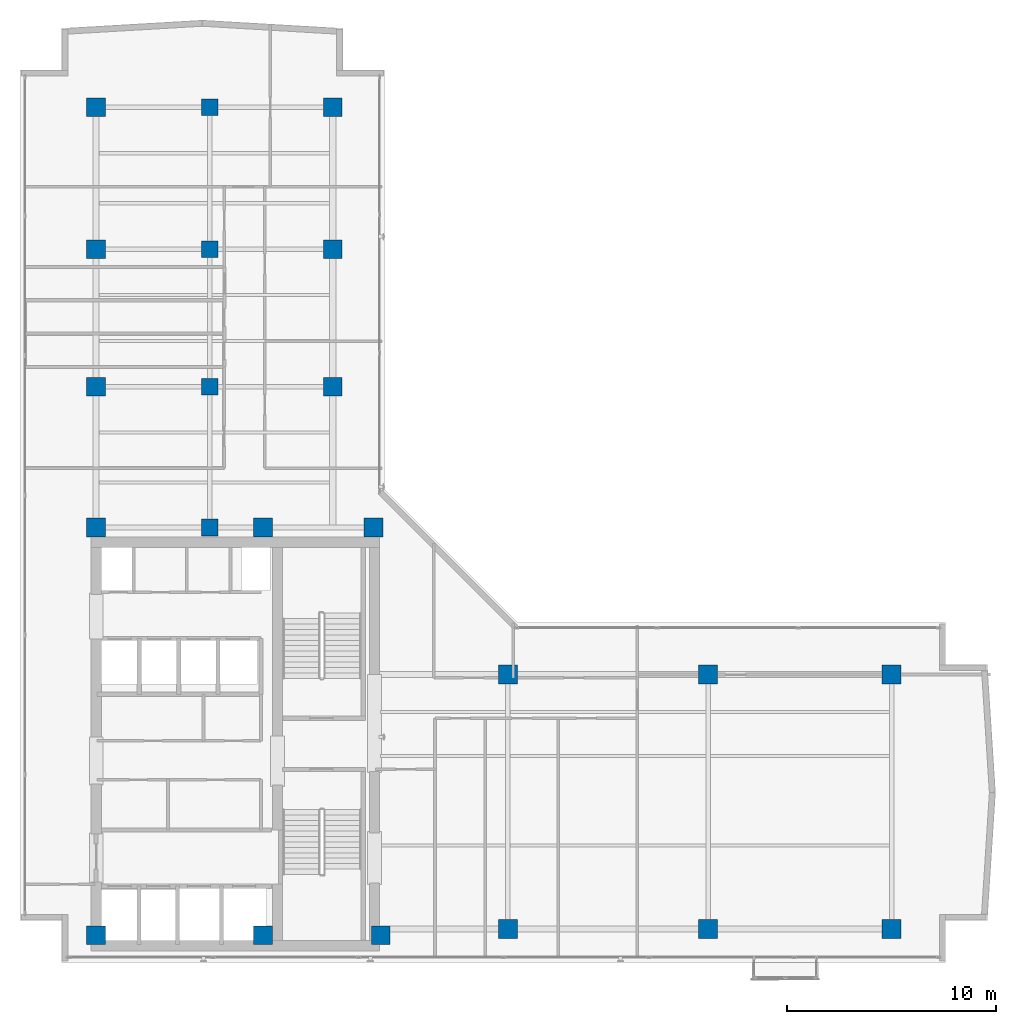
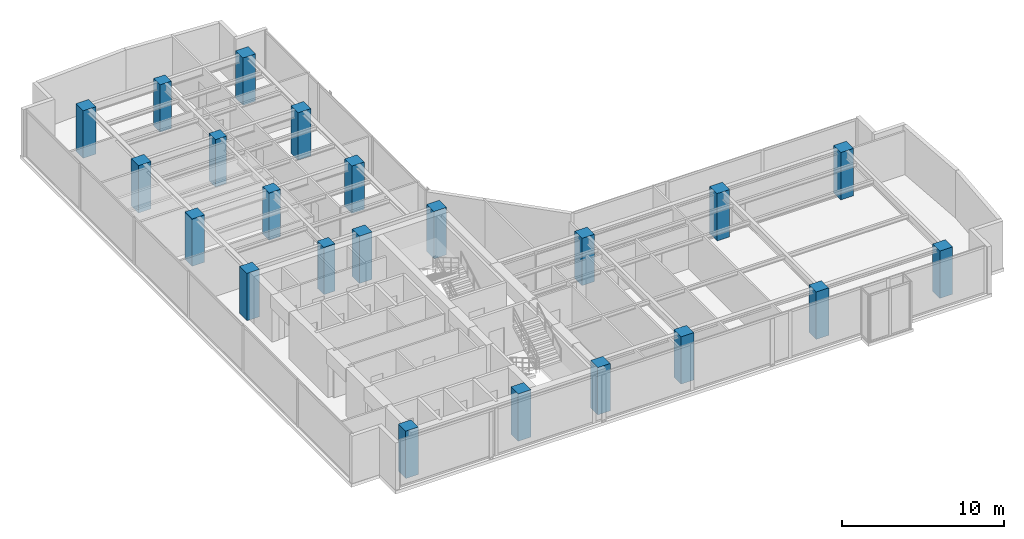
# One storey, part 1 of 23: 22 columns.
"""IFC4 building model written with IfcOpenShell, lengths in metres."""

import ifcopenshell
import ifcopenshell.guid

model = None  # the IFC model being written
_history = None  # IfcOwnerHistory: only IFC2X3 demands one
_inside = {}  # id of a spatial element -> (the spatial element, [elements in it])
_under = {}  # id of a project, library or spatial element -> (it, [spatial elements below it])
_declared = {}  # id of a project -> (the project, [libraries it declares])
_typed = {}  # id of a type object -> (the type object, [elements of that type])
_made_of = {}  # id of a material, layer set ... -> (it, [elements and type objects made of it])


def new_model(schema):
    """Start an empty IFC model of exactly this schema.

    Asked for "IFC4X3", IfcOpenShell would pick the latest addendum, in which some entities
    have other attributes; the version numbers below select the first issue.
    IFC2X3 requires an IfcOwnerHistory on every rooted entity: one is made here for all.
    """
    global model, _history
    if schema == "IFC4X3":
        model = ifcopenshell.file(schema_version=(4, 3, 0, 0))
    else:
        model = ifcopenshell.file(schema=schema)
    _inside.clear()
    _under.clear()
    _declared.clear()
    _typed.clear()
    _made_of.clear()
    _history = None
    if model.schema == "IFC2X3":
        org = make("IfcOrganization", Name="unknown")
        user = make(
            "IfcPersonAndOrganization",
            ThePerson=make("IfcPerson", FamilyName="unknown"),
            TheOrganization=org,
        )
        app = make(
            "IfcApplication",
            ApplicationDeveloper=org,
            Version="unknown",
            ApplicationFullName="unknown",
            ApplicationIdentifier="unknown",
        )
        _history = make(
            "IfcOwnerHistory",
            OwningUser=user,
            OwningApplication=app,
            ChangeAction="ADDED",
            CreationDate=0,
        )
    return model


def make(cls, **values):
    """One entity of the class cls with the attributes given. An attribute that is None is left unset."""
    return model.create_entity(
        cls, **{name: value for name, value in values.items() if value is not None}
    )


def rooted(cls, **values):
    """An entity with a GlobalId (a new one), such as an element, a storey or a relation."""
    return make(cls, GlobalId=ifcopenshell.guid.new(), OwnerHistory=_history, **values)


def si_unit(unit_type, name, prefix=None):
    """IfcSIUnit, for example si_unit("LENGTHUNIT", "METRE", prefix="MILLI")."""
    return make("IfcSIUnit", UnitType=unit_type, Prefix=prefix, Name=name)


def assignment(units):
    """IfcUnitAssignment: the units of a project."""
    return None if units is None else make("IfcUnitAssignment", Units=units)


def point(xyz):
    """IfcCartesianPoint."""
    return None if xyz is None else make("IfcCartesianPoint", Coordinates=xyz)


def direction(xyz):
    """IfcDirection."""
    return None if xyz is None else make("IfcDirection", DirectionRatios=xyz)


def frame(location, z_axis=None, x_axis=None):
    """IfcAxis2Placement3D, a coordinate frame: its origin and axes. An axis left out is left unset."""
    return make(
        "IfcAxis2Placement3D",
        Location=point(location),
        Axis=direction(z_axis),
        RefDirection=direction(x_axis),
    )


def frame_2d(location, x_axis=None):
    """IfcAxis2Placement2D, a coordinate frame in the plane: its origin and x axis."""
    return make(
        "IfcAxis2Placement2D", Location=point(location), RefDirection=direction(x_axis)
    )


def origin():
    """The frame at (0, 0, 0) with its axes left unset."""
    return frame((0.0, 0.0, 0.0))


def origin_2d():
    """The frame at (0, 0) in the plane with its x axis left unset."""
    return frame_2d((0.0, 0.0))


def place(relative_to, where):
    """IfcLocalPlacement: puts the frame where relative to a parent placement (None: the world)."""
    return make(
        "IfcLocalPlacement", PlacementRelTo=relative_to, RelativePlacement=where
    )


def context(
    kind, dimensions, precision=None, world=None, true_north=None, identifier=None
):
    """IfcGeometricRepresentationContext, for example the 3D "Model" context."""
    return make(
        "IfcGeometricRepresentationContext",
        ContextIdentifier=identifier,
        ContextType=kind,
        CoordinateSpaceDimension=dimensions,
        Precision=precision,
        WorldCoordinateSystem=world,
        TrueNorth=true_north,
    )


def subcontext(parent, identifier, kind, view, scale=None):
    """IfcGeometricRepresentationSubContext, for example "Body" below "Model"."""
    return make(
        "IfcGeometricRepresentationSubContext",
        ContextIdentifier=identifier,
        ContextType=kind,
        ParentContext=parent,
        TargetScale=scale,
        TargetView=view,
    )


def project(units=None, contexts=None):
    """IfcProject with its units and contexts."""
    return rooted(
        "IfcProject",
        Name="project",
        RepresentationContexts=contexts,
        UnitsInContext=assignment(units),
    )


def spatial(cls, under=None, at=None, **own):
    """A site, building, storey or space (cls), placed at a placement, below another one or the project."""
    s = rooted(cls, ObjectPlacement=at, **own)
    if under is not None:
        _under.setdefault(under.id(), (under, []))[1].append(s)
    return s


def profile(cls, at=None, kind="AREA", **sizes):
    """A parametric profile (cls). Its sizes go by their IFC names, for example OverallWidth=200.0."""
    return make(cls, ProfileType=kind, Position=at, **sizes)


def rectangle(**sizes):
    """IfcRectangleProfileDef."""
    return profile("IfcRectangleProfileDef", **sizes)


def extrude(swept, where, along, depth):
    """IfcExtrudedAreaSolid: the profile swept, set in the frame where, extruded along a direction by depth."""
    return make(
        "IfcExtrudedAreaSolid",
        SweptArea=swept,
        Position=where,
        ExtrudedDirection=direction(along),
        Depth=depth,
    )


def shape(context_of_items, identifier, shape_type, items):
    """IfcShapeRepresentation: the items that make up one representation, for example the "Body"."""
    return make(
        "IfcShapeRepresentation",
        ContextOfItems=context_of_items,
        RepresentationIdentifier=identifier,
        RepresentationType=shape_type,
        Items=items,
    )


def material(Name=None, Category=None):
    """IfcMaterial."""
    return make("IfcMaterial", Name=Name, Category=Category)


def material_profile(
    of_material, cross_section, Name=None, Category=None, Priority=None
):
    """IfcMaterialProfile: a cross section and its material."""
    return make(
        "IfcMaterialProfile",
        Name=Name,
        Material=of_material,
        Profile=cross_section,
        Priority=Priority,
        Category=Category,
    )


def profile_set(profiles, Name=None, composite=None):
    """IfcMaterialProfileSet."""
    return make(
        "IfcMaterialProfileSet",
        Name=Name,
        MaterialProfiles=profiles,
        CompositeProfile=composite,
    )


def made_of(thing, what):
    """Note that an element or type object is made of a material, layer set ...; save() writes the relation."""
    if what is not None:
        _made_of.setdefault(what.id(), (what, []))[1].append(thing)
    return thing


def type_object(cls, material=None, **own):
    """A type object (cls), such as IfcWallType, which elements share."""
    return made_of(rooted(cls, **own), material)


def element(
    cls,
    number,
    at=None,
    inside=None,
    cuts=None,
    type_object=None,
    material=None,
    context=None,
    identifier="Body",
    shape_type=None,
    held_by="IfcProductDefinitionShape",
    body=None,
    shapes=None,
    **own,
):
    """One element of the class cls, such as IfcWall. Its Tag is "e" and its number.

    at: its placement. inside: the storey or other place that contains it. cuts: it is an
    opening in that element (IfcRelVoidsElement). A single representation is given by context,
    identifier, shape_type and body (its items); several are given by shapes. held_by: the class
    of the entity that holds the representations. save() writes the other relations.
    """
    e = rooted(cls, Tag="e%d" % number, ObjectPlacement=at, **own)
    if body is not None:
        shapes = [shape(context, identifier, shape_type, body)]
    if shapes is not None:
        e.Representation = make(held_by, Representations=shapes)
    if inside is not None:
        _inside.setdefault(inside.id(), (inside, []))[1].append(e)
    if cuts is not None:
        rooted(
            "IfcRelVoidsElement", RelatingBuildingElement=cuts, RelatedOpeningElement=e
        )
    if type_object is not None:
        _typed.setdefault(type_object.id(), (type_object, []))[1].append(e)
    return made_of(e, material)


def aggregate(whole, parts):
    """IfcRelAggregates: a whole, such as a stair, and the parts it consists of."""
    return rooted("IfcRelAggregates", RelatingObject=whole, RelatedObjects=parts)


def save(model, path):
    """Write the relations noted so far, then the file.

    IfcRelAggregates (storeys below a building ...), IfcRelContainedInSpatialStructure (elements
    in a storey), IfcRelDefinesByType, IfcRelAssociatesMaterial and IfcRelDeclares: one each for
    every whole, place, type object, material and project.
    """
    for whole, parts in _under.values():
        aggregate(whole, parts)
    for where, things in _inside.values():
        rooted(
            "IfcRelContainedInSpatialStructure",
            RelatedElements=things,
            RelatingStructure=where,
        )
    for kind, things in _typed.values():
        rooted("IfcRelDefinesByType", RelatedObjects=things, RelatingType=kind)
    for what, things in _made_of.values():
        rooted("IfcRelAssociatesMaterial", RelatedObjects=things, RelatingMaterial=what)
    for by, libraries in _declared.values():
        rooted("IfcRelDeclares", RelatingContext=by, RelatedDefinitions=libraries)
    model.write(path)


model = new_model("IFC4")

# Units and contexts
model_context = context("Model", 3, precision=1e-05, world=origin(), true_north=direction((0.0, 1.0)))
body_context = subcontext(model_context, "Body", "Model", "MODEL_VIEW")
ifc_project = project(units=[si_unit("LENGTHUNIT", "METRE"), si_unit("AREAUNIT", "SQUARE_METRE"), si_unit("VOLUMEUNIT", "CUBIC_METRE"), si_unit("PLANEANGLEUNIT", "RADIAN"), si_unit("MASSUNIT", "GRAM", prefix="KILO")], contexts=[model_context])

# Site, building, storey
site_placement = place(None, origin())
site = spatial("IfcSite", under=ifc_project, at=site_placement, CompositionType="ELEMENT")
building_placement = place(site_placement, origin())
building = spatial("IfcBuilding", under=site, at=building_placement, Name="Kolvaren Waterfront Exchange", CompositionType="ELEMENT")
storey_placement = place(building_placement, frame((0.0, 0.0, 304.60009765625)))
storey = spatial("IfcBuildingStorey", under=building, at=storey_placement, Name="L78", CompositionType="ELEMENT", Elevation=304.60009765625)

# Columns
ifc_material = material(Name="Concrete C50/60", Category="concrete")
ifc_material_profile_1 = material_profile(ifc_material, rectangle(XDim=0.800048828125, YDim=0.800048828125, at=origin_2d()), Name="RC-COL-800x800")
ifc_profile_set_1 = profile_set([ifc_material_profile_1], Name="Concrete C50/60")
column_type_1 = type_object("IfcColumnType", Name="STR-COL-800-C50", PredefinedType="COLUMN", material=ifc_profile_set_1)
for number, where, z_axis, x_axis, name in (
    (1, (12.89990234375, 24.449951171875, 0.0), (0.0, 0.0, 1.0), (1.0, 0.0, 0.0), "L78 column TC01"),
    (2, (12.89990234375, 31.199951171875, 0.0), (0.0, 0.0, 1.0), (1.0, 0.0, 0.0), "L78 column TC02"),
    (3, (12.89990234375, 37.800048828125, 0.0), (0.0, 0.0, 1.0), (1.0, 0.0, 0.0), "L78 column TC03"),
    (4, (12.89990234375, 44.60009765625, 0.0), (0.0, 0.0, 1.0), (1.0, 0.0, 0.0), "L78 column TC04"),
):
    element("IfcColumn", number, at=place(storey_placement, frame(where, z_axis=z_axis, x_axis=x_axis)), inside=storey, type_object=column_type_1, Name=name, PredefinedType="COLUMN", context=body_context, shape_type="SweptSolid", body=[
        extrude(rectangle(XDim=0.800048828125, YDim=0.800048828125, at=origin_2d()), origin(), (0.0, 0.0, 1.0), 3.559814453125),
    ])
ifc_material_profile_2 = material_profile(ifc_material, rectangle(XDim=0.89990234375, YDim=0.89990234375, at=origin_2d()), Name="RC-COL-900x900")
ifc_profile_set_2 = profile_set([ifc_material_profile_2], Name="Concrete C50/60")
column_type_2 = type_object("IfcColumnType", Name="STR-COL-900-C50", PredefinedType="COLUMN", material=ifc_profile_set_2)
for number, where, z_axis, x_axis, name in (
    (5, (7.449951171875, 4.89990234375, 0.0), (0.0, 0.0, 1.0), (1.0, 0.0, 0.0), "L78 column MC01"),
    (6, (15.449951171875, 4.89990234375, 0.0), (0.0, 0.0, 1.0), (1.0, 0.0, 0.0), "L78 column MC02"),
    (7, (21.10009765625, 4.89990234375, 0.0), (0.0, 0.0, 1.0), (1.0, 0.0, 0.0), "L78 column MC03"),
    (8, (7.449951171875, 24.449951171875, 0.0), (0.0, 0.0, 1.0), (1.0, 0.0, 0.0), "L78 column MC04"),
    (9, (15.449951171875, 24.449951171875, 0.0), (0.0, 0.0, 1.0), (1.0, 0.0, 0.0), "L78 column MC05"),
    (10, (20.75, 24.449951171875, 0.0), (0.0, 0.0, 1.0), (1.0, 0.0, 0.0), "L78 column MC06"),
    (11, (7.449951171875, 31.199951171875, 0.0), (0.0, 0.0, 1.0), (1.0, 0.0, 0.0), "L78 column NC01"),
    (12, (7.449951171875, 37.800048828125, 0.0), (0.0, 0.0, 1.0), (1.0, 0.0, 0.0), "L78 column NC02"),
    (13, (7.449951171875, 44.60009765625, 0.0), (0.0, 0.0, 1.0), (1.0, 0.0, 0.0), "L78 column NC03"),
    (14, (18.800048828125, 31.199951171875, 0.0), (0.0, 0.0, 1.0), (1.0, 0.0, 0.0), "L78 column NC04"),
    (15, (18.800048828125, 37.800048828125, 0.0), (0.0, 0.0, 1.0), (1.0, 0.0, 0.0), "L78 column NC05"),
    (16, (18.800048828125, 44.60009765625, 0.0), (0.0, 0.0, 1.0), (1.0, 0.0, 0.0), "L78 column NC06"),
    (17, (27.199951171875, 5.199951171875, 0.0), (0.0, 0.0, 1.0), (1.0, 0.0, 0.0), "L78 column EC01"),
    (18, (36.800048828125, 5.199951171875, 0.0), (0.0, 0.0, 1.0), (1.0, 0.0, 0.0), "L78 column EC02"),
    (19, (45.60009765625, 5.199951171875, 0.0), (0.0, 0.0, 1.0), (1.0, 0.0, 0.0), "L78 column EC03"),
    (20, (27.199951171875, 17.39990234375, 0.0), (0.0, 0.0, 1.0), (1.0, 0.0, 0.0), "L78 column EC04"),
    (21, (36.800048828125, 17.39990234375, 0.0), (0.0, 0.0, 1.0), (1.0, 0.0, 0.0), "L78 column EC05"),
    (22, (45.60009765625, 17.39990234375, 0.0), (0.0, 0.0, 1.0), (1.0, 0.0, 0.0), "L78 column EC06"),
):
    element("IfcColumn", number, at=place(storey_placement, frame(where, z_axis=z_axis, x_axis=x_axis)), inside=storey, type_object=column_type_2, Name=name, PredefinedType="COLUMN", context=body_context, shape_type="SweptSolid", body=[
        extrude(rectangle(XDim=0.89990234375, YDim=0.89990234375, at=origin_2d()), origin(), (0.0, 0.0, 1.0), 3.559814453125),
    ])

save(model, "model.ifc")
